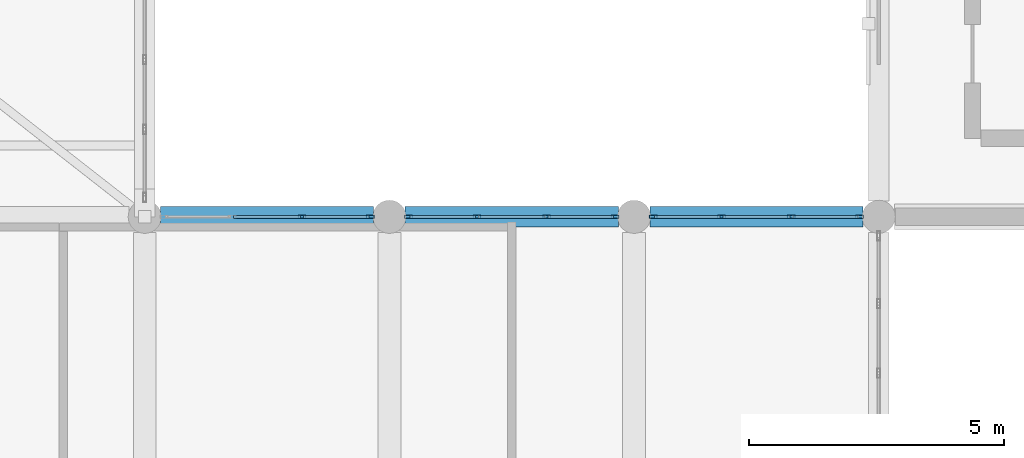
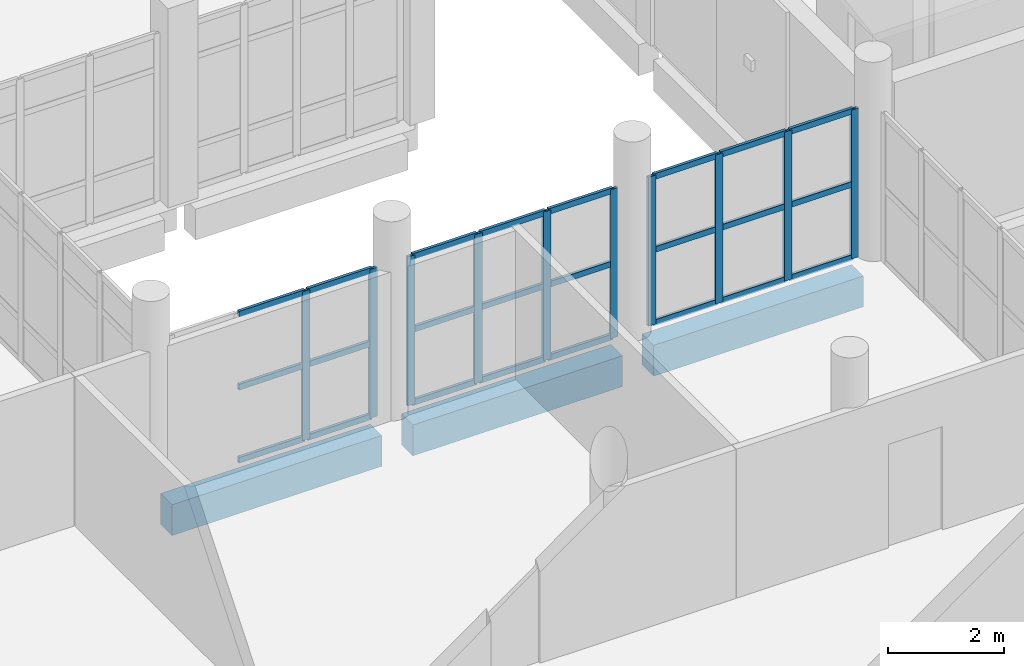
# One storey, part 94 of 164: 34 members, 3 beams, 3 elements without a shape of their own.
"""IFC4 building model written with IfcOpenShell, lengths in metres."""

from ifc_helpers import new_model, si_unit, direction, frame, origin, origin_2d, place, context, subcontext, project, spatial, rectangle, hollow_rectangle, extrude, material, layer, layer_set, material_profile, profile_set, type_object, element, aggregate, save


model = new_model("IFC4")

# Units and contexts
model_context = context("Model", 3, precision=1e-05, world=origin(), true_north=direction((0.0, 1.0)))
body_context = subcontext(model_context, "Body", "Model", "MODEL_VIEW")
ifc_project = project(units=[si_unit("LENGTHUNIT", "METRE"), si_unit("AREAUNIT", "SQUARE_METRE"), si_unit("VOLUMEUNIT", "CUBIC_METRE"), si_unit("PLANEANGLEUNIT", "RADIAN"), si_unit("MASSUNIT", "GRAM", prefix="KILO")], contexts=[model_context])

# Site, building, storey
site_placement = place(None, origin())
site = spatial("IfcSite", under=ifc_project, at=site_placement, CompositionType="ELEMENT")
building_placement = place(site_placement, origin())
building = spatial("IfcBuilding", under=site, at=building_placement, Name="Mawjan Specialist Oncology Clinic", CompositionType="ELEMENT")
storey_placement = place(building_placement, frame((0.0, 0.0, 5.0)))
storey = spatial("IfcBuildingStorey", under=building, at=storey_placement, Name="L01", CompositionType="ELEMENT", Elevation=5.0)

# Curtain wall, members
ifc_material_1 = material(Name="Unitised spectrally selective aluminium curtain wall", Category="aluminium")
ifc_layer = layer(ifc_material_1, 0.179931640625, Name="Unitised spectrally selective aluminium curtain wall", Category="aluminium")
ifc_layer_set = layer_set([ifc_layer], Name="Unitised spectrally selective aluminium curtain wall")
curtain_wall_type = type_object("IfcCurtainWallType", Name="CW-56", PredefinedType="NOTDEFINED", material=ifc_layer_set)
curtain_wall_1_placement = place(storey_placement, origin())
curtain_wall_1 = element("IfcCurtainWall", 1, at=curtain_wall_1_placement, inside=storey, type_object=curtain_wall_type, Name="L01 Unitised Curtain Wall CW-L01-129", PredefinedType="NOTDEFINED")
ifc_material_2 = material(Name="Thermally broken aluminium 6063-T6", Category="aluminium")
ifc_material_profile_1 = material_profile(ifc_material_2, hollow_rectangle(XDim=0.06005859375, YDim=0.14990234375, WallThickness=0.00390625, at=origin_2d()), Name="ALU MULLION 150x60x4", Category="aluminium")
ifc_profile_set_1 = profile_set([ifc_material_profile_1], Name="Thermally broken aluminium 6063-T6")
member_type_1 = type_object("IfcMemberType", Name="CW-M150", PredefinedType="MULLION", material=ifc_profile_set_1)
member_1_placement = place(storey_placement, frame((96.68505859375, 75.800048828125, 0.0), z_axis=(0.0, 0.0, 1.0), x_axis=(0.0, 1.0, 0.0)))
member_1 = element("IfcMember", 2, at=member_1_placement, type_object=member_type_1, Name="CW-56 mullion 3", PredefinedType="MULLION", context=body_context, shape_type="SweptSolid", body=[
    extrude(hollow_rectangle(XDim=0.06005859375, YDim=0.14990234375, WallThickness=0.00390625, at=origin_2d()), origin(), (0.0, 0.0, 1.0), 3.139892578125),
])
member_2_placement = place(storey_placement, frame((98.02490234375, 75.800048828125, 0.0), z_axis=(0.0, 0.0, 1.0), x_axis=(0.0, 1.0, 0.0)))
member_2 = element("IfcMember", 3, at=member_2_placement, type_object=member_type_1, Name="CW-56 mullion 4", PredefinedType="MULLION", context=body_context, shape_type="SweptSolid", body=[
    extrude(hollow_rectangle(XDim=0.06005859375, YDim=0.14990234375, WallThickness=0.00390625, at=origin_2d()), origin(), (0.0, 0.0, 1.0), 3.139892578125),
])

curtain_wall_2_placement = place(storey_placement, origin())
curtain_wall_2 = element("IfcCurtainWall", 4, at=curtain_wall_2_placement, inside=storey, type_object=curtain_wall_type, Name="L01 Unitised Curtain Wall CW-L01-130", PredefinedType="NOTDEFINED")
member_3_placement = place(storey_placement, frame((98.77490234375, 75.800048828125, 0.0), z_axis=(0.0, 0.0, 1.0), x_axis=(0.0, 1.0, 0.0)))
member_3 = element("IfcMember", 5, at=member_3_placement, type_object=member_type_1, Name="CW-56 mullion 1", PredefinedType="MULLION", context=body_context, shape_type="SweptSolid", body=[
    extrude(hollow_rectangle(XDim=0.06005859375, YDim=0.14990234375, WallThickness=0.00390625, at=origin_2d()), origin(), (0.0, 0.0, 1.0), 3.139892578125),
])
member_4_placement = place(storey_placement, frame((100.114990234375, 75.800048828125, 0.0), z_axis=(0.0, 0.0, 1.0), x_axis=(0.0, 1.0, 0.0)))
member_4 = element("IfcMember", 6, at=member_4_placement, type_object=member_type_1, Name="CW-56 mullion 2", PredefinedType="MULLION", context=body_context, shape_type="SweptSolid", body=[
    extrude(hollow_rectangle(XDim=0.06005859375, YDim=0.14990234375, WallThickness=0.00390625, at=origin_2d()), origin(), (0.0, 0.0, 1.0), 3.139892578125),
])
member_5_placement = place(storey_placement, frame((101.485107421875, 75.800048828125, 0.0), z_axis=(0.0, 0.0, 1.0), x_axis=(0.0, 1.0, 0.0)))
member_5 = element("IfcMember", 7, at=member_5_placement, type_object=member_type_1, Name="CW-56 mullion 3", PredefinedType="MULLION", context=body_context, shape_type="SweptSolid", body=[
    extrude(hollow_rectangle(XDim=0.06005859375, YDim=0.14990234375, WallThickness=0.00390625, at=origin_2d()), origin(), (0.0, 0.0, 1.0), 3.139892578125),
])
member_6_placement = place(storey_placement, frame((102.824951171875, 75.800048828125, 0.0), z_axis=(0.0, 0.0, 1.0), x_axis=(0.0, 1.0, 0.0)))
member_6 = element("IfcMember", 8, at=member_6_placement, type_object=member_type_1, Name="CW-56 mullion 4", PredefinedType="MULLION", context=body_context, shape_type="SweptSolid", body=[
    extrude(hollow_rectangle(XDim=0.06005859375, YDim=0.14990234375, WallThickness=0.00390625, at=origin_2d()), origin(), (0.0, 0.0, 1.0), 3.139892578125),
])

curtain_wall_3_placement = place(storey_placement, origin())
curtain_wall_3 = element("IfcCurtainWall", 9, at=curtain_wall_3_placement, inside=storey, type_object=curtain_wall_type, Name="L01 Unitised Curtain Wall CW-L01-131", PredefinedType="NOTDEFINED")
member_7_placement = place(storey_placement, frame((103.574951171875, 75.800048828125, 0.0), z_axis=(0.0, 0.0, 1.0), x_axis=(0.0, 1.0, 0.0)))
member_7 = element("IfcMember", 10, at=member_7_placement, type_object=member_type_1, Name="CW-56 mullion 1", PredefinedType="MULLION", context=body_context, shape_type="SweptSolid", body=[
    extrude(hollow_rectangle(XDim=0.06005859375, YDim=0.14990234375, WallThickness=0.00390625, at=origin_2d()), origin(), (0.0, 0.0, 1.0), 3.139892578125),
])
member_8_placement = place(storey_placement, frame((104.9150390625, 75.800048828125, 0.0), z_axis=(0.0, 0.0, 1.0), x_axis=(0.0, 1.0, 0.0)))
member_8 = element("IfcMember", 11, at=member_8_placement, type_object=member_type_1, Name="CW-56 mullion 2", PredefinedType="MULLION", context=body_context, shape_type="SweptSolid", body=[
    extrude(hollow_rectangle(XDim=0.06005859375, YDim=0.14990234375, WallThickness=0.00390625, at=origin_2d()), origin(), (0.0, 0.0, 1.0), 3.139892578125),
])
member_9_placement = place(storey_placement, frame((106.284912109375, 75.800048828125, 0.0), z_axis=(0.0, 0.0, 1.0), x_axis=(0.0, 1.0, 0.0)))
member_9 = element("IfcMember", 12, at=member_9_placement, type_object=member_type_1, Name="CW-56 mullion 3", PredefinedType="MULLION", context=body_context, shape_type="SweptSolid", body=[
    extrude(hollow_rectangle(XDim=0.06005859375, YDim=0.14990234375, WallThickness=0.00390625, at=origin_2d()), origin(), (0.0, 0.0, 1.0), 3.139892578125),
])
member_10_placement = place(storey_placement, frame((107.625, 75.800048828125, 0.0), z_axis=(0.0, 0.0, 1.0), x_axis=(0.0, 1.0, 0.0)))
member_10 = element("IfcMember", 13, at=member_10_placement, type_object=member_type_1, Name="CW-56 mullion 4", PredefinedType="MULLION", context=body_context, shape_type="SweptSolid", body=[
    extrude(hollow_rectangle(XDim=0.06005859375, YDim=0.14990234375, WallThickness=0.00390625, at=origin_2d()), origin(), (0.0, 0.0, 1.0), 3.139892578125),
])

# Member
ifc_material_3 = material(Name="Thermally broken aluminium 6063-T6", Category="aluminium")
ifc_material_profile_2 = material_profile(ifc_material_3, hollow_rectangle(XDim=0.06005859375, YDim=0.1201171875, WallThickness=0.00390625, at=origin_2d()), Name="ALU TRANSOM 120x60x4", Category="aluminium")
ifc_profile_set_2 = profile_set([ifc_material_profile_2], Name="Thermally broken aluminium 6063-T6")
member_type_2 = type_object("IfcMemberType", Name="CW-T120", PredefinedType="USERDEFINED", material=ifc_profile_set_2)
member_11_placement = place(storey_placement, frame((95.344970703125, 75.800048828125, 0.030029296875), z_axis=(1.0, 0.0, 0.0), x_axis=(0.0, 1.0, 0.0)))
member_11 = element("IfcMember", 14, at=member_11_placement, type_object=member_type_2, Name="CW-56 transom 2.1", ObjectType="TRANSOM", PredefinedType="USERDEFINED", context=body_context, shape_type="SweptSolid", body=[
    extrude(hollow_rectangle(XDim=0.06005859375, YDim=0.1201171875, WallThickness=0.00390625, at=origin_2d()), origin(), (0.0, 0.0, 1.0), 1.31005859375),
])

member_12_placement = place(storey_placement, frame((95.344970703125, 75.800048828125, 1.570068359375), z_axis=(1.0, 0.0, 0.0), x_axis=(0.0, 1.0, 0.0)))
member_12 = element("IfcMember", 15, at=member_12_placement, type_object=member_type_2, Name="CW-56 transom 2.2", ObjectType="TRANSOM", PredefinedType="USERDEFINED", context=body_context, shape_type="SweptSolid", body=[
    extrude(hollow_rectangle(XDim=0.06005859375, YDim=0.1201171875, WallThickness=0.00390625, at=origin_2d()), origin(), (0.0, 0.0, 1.0), 1.31005859375),
])

member_13_placement = place(storey_placement, frame((95.344970703125, 75.800048828125, 3.110107421875), z_axis=(1.0, 0.0, 0.0), x_axis=(0.0, 1.0, 0.0)))
member_13 = element("IfcMember", 16, at=member_13_placement, type_object=member_type_2, Name="CW-56 transom 2.3", ObjectType="TRANSOM", PredefinedType="USERDEFINED", context=body_context, shape_type="SweptSolid", body=[
    extrude(hollow_rectangle(XDim=0.06005859375, YDim=0.1201171875, WallThickness=0.00390625, at=origin_2d()), origin(), (0.0, 0.0, 1.0), 1.31005859375),
])

member_14_placement = place(storey_placement, frame((96.715087890625, 75.800048828125, 0.030029296875), z_axis=(1.0, 0.0, 0.0), x_axis=(0.0, 1.0, 0.0)))
member_14 = element("IfcMember", 17, at=member_14_placement, type_object=member_type_2, Name="CW-56 transom 3.1", ObjectType="TRANSOM", PredefinedType="USERDEFINED", context=body_context, shape_type="SweptSolid", body=[
    extrude(hollow_rectangle(XDim=0.06005859375, YDim=0.1201171875, WallThickness=0.00390625, at=origin_2d()), origin(), (0.0, 0.0, 1.0), 1.280029296875),
])

member_15_placement = place(storey_placement, frame((96.715087890625, 75.800048828125, 1.570068359375), z_axis=(1.0, 0.0, 0.0), x_axis=(0.0, 1.0, 0.0)))
member_15 = element("IfcMember", 18, at=member_15_placement, type_object=member_type_2, Name="CW-56 transom 3.2", ObjectType="TRANSOM", PredefinedType="USERDEFINED", context=body_context, shape_type="SweptSolid", body=[
    extrude(hollow_rectangle(XDim=0.06005859375, YDim=0.1201171875, WallThickness=0.00390625, at=origin_2d()), origin(), (0.0, 0.0, 1.0), 1.280029296875),
])

member_16_placement = place(storey_placement, frame((96.715087890625, 75.800048828125, 3.110107421875), z_axis=(1.0, 0.0, 0.0), x_axis=(0.0, 1.0, 0.0)))
member_16 = element("IfcMember", 19, at=member_16_placement, type_object=member_type_2, Name="CW-56 transom 3.3", ObjectType="TRANSOM", PredefinedType="USERDEFINED", context=body_context, shape_type="SweptSolid", body=[
    extrude(hollow_rectangle(XDim=0.06005859375, YDim=0.1201171875, WallThickness=0.00390625, at=origin_2d()), origin(), (0.0, 0.0, 1.0), 1.280029296875),
])

aggregate(curtain_wall_1, [member_1, member_2, member_11, member_12, member_13, member_14, member_15, member_16])

member_17_placement = place(storey_placement, frame((98.804931640625, 75.800048828125, 0.030029296875), z_axis=(1.0, 0.0, 0.0), x_axis=(0.0, 1.0, 0.0)))
member_17 = element("IfcMember", 20, at=member_17_placement, type_object=member_type_2, Name="CW-56 transom 1.1", ObjectType="TRANSOM", PredefinedType="USERDEFINED", context=body_context, shape_type="SweptSolid", body=[
    extrude(hollow_rectangle(XDim=0.06005859375, YDim=0.1201171875, WallThickness=0.00390625, at=origin_2d()), origin(), (0.0, 0.0, 1.0), 1.280029296875),
])

member_18_placement = place(storey_placement, frame((98.804931640625, 75.800048828125, 1.570068359375), z_axis=(1.0, 0.0, 0.0), x_axis=(0.0, 1.0, 0.0)))
member_18 = element("IfcMember", 21, at=member_18_placement, type_object=member_type_2, Name="CW-56 transom 1.2", ObjectType="TRANSOM", PredefinedType="USERDEFINED", context=body_context, shape_type="SweptSolid", body=[
    extrude(hollow_rectangle(XDim=0.06005859375, YDim=0.1201171875, WallThickness=0.00390625, at=origin_2d()), origin(), (0.0, 0.0, 1.0), 1.280029296875),
])

member_19_placement = place(storey_placement, frame((98.804931640625, 75.800048828125, 3.110107421875), z_axis=(1.0, 0.0, 0.0), x_axis=(0.0, 1.0, 0.0)))
member_19 = element("IfcMember", 22, at=member_19_placement, type_object=member_type_2, Name="CW-56 transom 1.3", ObjectType="TRANSOM", PredefinedType="USERDEFINED", context=body_context, shape_type="SweptSolid", body=[
    extrude(hollow_rectangle(XDim=0.06005859375, YDim=0.1201171875, WallThickness=0.00390625, at=origin_2d()), origin(), (0.0, 0.0, 1.0), 1.280029296875),
])

member_20_placement = place(storey_placement, frame((100.14501953125, 75.800048828125, 0.030029296875), z_axis=(1.0, 0.0, 0.0), x_axis=(0.0, 1.0, 0.0)))
member_20 = element("IfcMember", 23, at=member_20_placement, type_object=member_type_2, Name="CW-56 transom 2.1", ObjectType="TRANSOM", PredefinedType="USERDEFINED", context=body_context, shape_type="SweptSolid", body=[
    extrude(hollow_rectangle(XDim=0.06005859375, YDim=0.1201171875, WallThickness=0.00390625, at=origin_2d()), origin(), (0.0, 0.0, 1.0), 1.31005859375),
])

member_21_placement = place(storey_placement, frame((100.14501953125, 75.800048828125, 1.570068359375), z_axis=(1.0, 0.0, 0.0), x_axis=(0.0, 1.0, 0.0)))
member_21 = element("IfcMember", 24, at=member_21_placement, type_object=member_type_2, Name="CW-56 transom 2.2", ObjectType="TRANSOM", PredefinedType="USERDEFINED", context=body_context, shape_type="SweptSolid", body=[
    extrude(hollow_rectangle(XDim=0.06005859375, YDim=0.1201171875, WallThickness=0.00390625, at=origin_2d()), origin(), (0.0, 0.0, 1.0), 1.31005859375),
])

member_22_placement = place(storey_placement, frame((100.14501953125, 75.800048828125, 3.110107421875), z_axis=(1.0, 0.0, 0.0), x_axis=(0.0, 1.0, 0.0)))
member_22 = element("IfcMember", 25, at=member_22_placement, type_object=member_type_2, Name="CW-56 transom 2.3", ObjectType="TRANSOM", PredefinedType="USERDEFINED", context=body_context, shape_type="SweptSolid", body=[
    extrude(hollow_rectangle(XDim=0.06005859375, YDim=0.1201171875, WallThickness=0.00390625, at=origin_2d()), origin(), (0.0, 0.0, 1.0), 1.31005859375),
])

member_23_placement = place(storey_placement, frame((101.514892578125, 75.800048828125, 0.030029296875), z_axis=(1.0, 0.0, 0.0), x_axis=(0.0, 1.0, 0.0)))
member_23 = element("IfcMember", 26, at=member_23_placement, type_object=member_type_2, Name="CW-56 transom 3.1", ObjectType="TRANSOM", PredefinedType="USERDEFINED", context=body_context, shape_type="SweptSolid", body=[
    extrude(hollow_rectangle(XDim=0.06005859375, YDim=0.1201171875, WallThickness=0.00390625, at=origin_2d()), origin(), (0.0, 0.0, 1.0), 1.280029296875),
])

member_24_placement = place(storey_placement, frame((101.514892578125, 75.800048828125, 1.570068359375), z_axis=(1.0, 0.0, 0.0), x_axis=(0.0, 1.0, 0.0)))
member_24 = element("IfcMember", 27, at=member_24_placement, type_object=member_type_2, Name="CW-56 transom 3.2", ObjectType="TRANSOM", PredefinedType="USERDEFINED", context=body_context, shape_type="SweptSolid", body=[
    extrude(hollow_rectangle(XDim=0.06005859375, YDim=0.1201171875, WallThickness=0.00390625, at=origin_2d()), origin(), (0.0, 0.0, 1.0), 1.280029296875),
])

member_25_placement = place(storey_placement, frame((101.514892578125, 75.800048828125, 3.110107421875), z_axis=(1.0, 0.0, 0.0), x_axis=(0.0, 1.0, 0.0)))
member_25 = element("IfcMember", 28, at=member_25_placement, type_object=member_type_2, Name="CW-56 transom 3.3", ObjectType="TRANSOM", PredefinedType="USERDEFINED", context=body_context, shape_type="SweptSolid", body=[
    extrude(hollow_rectangle(XDim=0.06005859375, YDim=0.1201171875, WallThickness=0.00390625, at=origin_2d()), origin(), (0.0, 0.0, 1.0), 1.280029296875),
])

aggregate(curtain_wall_2, [member_3, member_4, member_5, member_6, member_17, member_18, member_19, member_20, member_21, member_22, member_23, member_24, member_25])

member_26_placement = place(storey_placement, frame((103.60498046875, 75.800048828125, 0.030029296875), z_axis=(1.0, 0.0, 0.0), x_axis=(0.0, 1.0, 0.0)))
member_26 = element("IfcMember", 29, at=member_26_placement, type_object=member_type_2, Name="CW-56 transom 1.1", ObjectType="TRANSOM", PredefinedType="USERDEFINED", context=body_context, shape_type="SweptSolid", body=[
    extrude(hollow_rectangle(XDim=0.06005859375, YDim=0.1201171875, WallThickness=0.00390625, at=origin_2d()), origin(), (0.0, 0.0, 1.0), 1.280029296875),
])

member_27_placement = place(storey_placement, frame((103.60498046875, 75.800048828125, 1.570068359375), z_axis=(1.0, 0.0, 0.0), x_axis=(0.0, 1.0, 0.0)))
member_27 = element("IfcMember", 30, at=member_27_placement, type_object=member_type_2, Name="CW-56 transom 1.2", ObjectType="TRANSOM", PredefinedType="USERDEFINED", context=body_context, shape_type="SweptSolid", body=[
    extrude(hollow_rectangle(XDim=0.06005859375, YDim=0.1201171875, WallThickness=0.00390625, at=origin_2d()), origin(), (0.0, 0.0, 1.0), 1.280029296875),
])

member_28_placement = place(storey_placement, frame((103.60498046875, 75.800048828125, 3.110107421875), z_axis=(1.0, 0.0, 0.0), x_axis=(0.0, 1.0, 0.0)))
member_28 = element("IfcMember", 31, at=member_28_placement, type_object=member_type_2, Name="CW-56 transom 1.3", ObjectType="TRANSOM", PredefinedType="USERDEFINED", context=body_context, shape_type="SweptSolid", body=[
    extrude(hollow_rectangle(XDim=0.06005859375, YDim=0.1201171875, WallThickness=0.00390625, at=origin_2d()), origin(), (0.0, 0.0, 1.0), 1.280029296875),
])

member_29_placement = place(storey_placement, frame((104.945068359375, 75.800048828125, 0.030029296875), z_axis=(1.0, 0.0, 0.0), x_axis=(0.0, 1.0, 0.0)))
member_29 = element("IfcMember", 32, at=member_29_placement, type_object=member_type_2, Name="CW-56 transom 2.1", ObjectType="TRANSOM", PredefinedType="USERDEFINED", context=body_context, shape_type="SweptSolid", body=[
    extrude(hollow_rectangle(XDim=0.06005859375, YDim=0.1201171875, WallThickness=0.00390625, at=origin_2d()), origin(), (0.0, 0.0, 1.0), 1.309814453125),
])

member_30_placement = place(storey_placement, frame((104.945068359375, 75.800048828125, 1.570068359375), z_axis=(1.0, 0.0, 0.0), x_axis=(0.0, 1.0, 0.0)))
member_30 = element("IfcMember", 33, at=member_30_placement, type_object=member_type_2, Name="CW-56 transom 2.2", ObjectType="TRANSOM", PredefinedType="USERDEFINED", context=body_context, shape_type="SweptSolid", body=[
    extrude(hollow_rectangle(XDim=0.06005859375, YDim=0.1201171875, WallThickness=0.00390625, at=origin_2d()), origin(), (0.0, 0.0, 1.0), 1.309814453125),
])

member_31_placement = place(storey_placement, frame((104.945068359375, 75.800048828125, 3.110107421875), z_axis=(1.0, 0.0, 0.0), x_axis=(0.0, 1.0, 0.0)))
member_31 = element("IfcMember", 34, at=member_31_placement, type_object=member_type_2, Name="CW-56 transom 2.3", ObjectType="TRANSOM", PredefinedType="USERDEFINED", context=body_context, shape_type="SweptSolid", body=[
    extrude(hollow_rectangle(XDim=0.06005859375, YDim=0.1201171875, WallThickness=0.00390625, at=origin_2d()), origin(), (0.0, 0.0, 1.0), 1.309814453125),
])

member_32_placement = place(storey_placement, frame((106.31494140625, 75.800048828125, 0.030029296875), z_axis=(1.0, 0.0, 0.0), x_axis=(0.0, 1.0, 0.0)))
member_32 = element("IfcMember", 35, at=member_32_placement, type_object=member_type_2, Name="CW-56 transom 3.1", ObjectType="TRANSOM", PredefinedType="USERDEFINED", context=body_context, shape_type="SweptSolid", body=[
    extrude(hollow_rectangle(XDim=0.06005859375, YDim=0.1201171875, WallThickness=0.00390625, at=origin_2d()), origin(), (0.0, 0.0, 1.0), 1.280029296875),
])

member_33_placement = place(storey_placement, frame((106.31494140625, 75.800048828125, 1.570068359375), z_axis=(1.0, 0.0, 0.0), x_axis=(0.0, 1.0, 0.0)))
member_33 = element("IfcMember", 36, at=member_33_placement, type_object=member_type_2, Name="CW-56 transom 3.2", ObjectType="TRANSOM", PredefinedType="USERDEFINED", context=body_context, shape_type="SweptSolid", body=[
    extrude(hollow_rectangle(XDim=0.06005859375, YDim=0.1201171875, WallThickness=0.00390625, at=origin_2d()), origin(), (0.0, 0.0, 1.0), 1.280029296875),
])

member_34_placement = place(storey_placement, frame((106.31494140625, 75.800048828125, 3.110107421875), z_axis=(1.0, 0.0, 0.0), x_axis=(0.0, 1.0, 0.0)))
member_34 = element("IfcMember", 37, at=member_34_placement, type_object=member_type_2, Name="CW-56 transom 3.3", ObjectType="TRANSOM", PredefinedType="USERDEFINED", context=body_context, shape_type="SweptSolid", body=[
    extrude(hollow_rectangle(XDim=0.06005859375, YDim=0.1201171875, WallThickness=0.00390625, at=origin_2d()), origin(), (0.0, 0.0, 1.0), 1.280029296875),
])

aggregate(curtain_wall_3, [member_7, member_8, member_9, member_10, member_26, member_27, member_28, member_29, member_30, member_31, member_32, member_33, member_34])

# Beams
ifc_material_4 = material(Name="Concrete C45/55", Category="concrete")
ifc_material_profile_3 = material_profile(ifc_material_4, rectangle(XDim=0.39990234375, YDim=0.64990234375, at=origin_2d()), Name="RC BM 400x650", Category="concrete")
ifc_profile_set_3 = profile_set([ifc_material_profile_3], Name="Concrete C45/55")
beam_type = type_object("IfcBeamType", Name="SP-400x650", PredefinedType="SPANDREL", material=ifc_profile_set_3)
beam_placement = place(storey_placement, frame((93.909912109375, 75.800048828125, -0.625), z_axis=(1.0, 0.0, 0.0), x_axis=(0.0, 1.0, 0.0)))
element("IfcBeam", 38, at=beam_placement, inside=storey, type_object=beam_type, Name="L01 Spandrel Beam BM-L01-0332", PredefinedType="SPANDREL", context=body_context, shape_type="SweptSolid", body=[
    extrude(rectangle(XDim=0.39990234375, YDim=0.64990234375, at=origin_2d()), origin(), (0.0, 0.0, 1.0), 4.18017578125),
])
for number, where, z_axis, x_axis, name in (
    (39, (98.7099609375, 75.800048828125, -0.625), (1.0, 0.0, 0.0), (0.0, 1.0, 0.0), "L01 Spandrel Beam BM-L01-0333"),
    (40, (103.510009765625, 75.800048828125, -0.625), (1.0, 0.0, 0.0), (0.0, 1.0, 0.0), "L01 Spandrel Beam BM-L01-0334"),
):
    element("IfcBeam", number, at=place(storey_placement, frame(where, z_axis=z_axis, x_axis=x_axis)), inside=storey, type_object=beam_type, Name=name, PredefinedType="SPANDREL", context=body_context, shape_type="SweptSolid", body=[
        extrude(rectangle(XDim=0.39990234375, YDim=0.64990234375, at=origin_2d()), origin(), (0.0, 0.0, 1.0), 4.179931640625),
    ])

save(model, "model.ifc")
